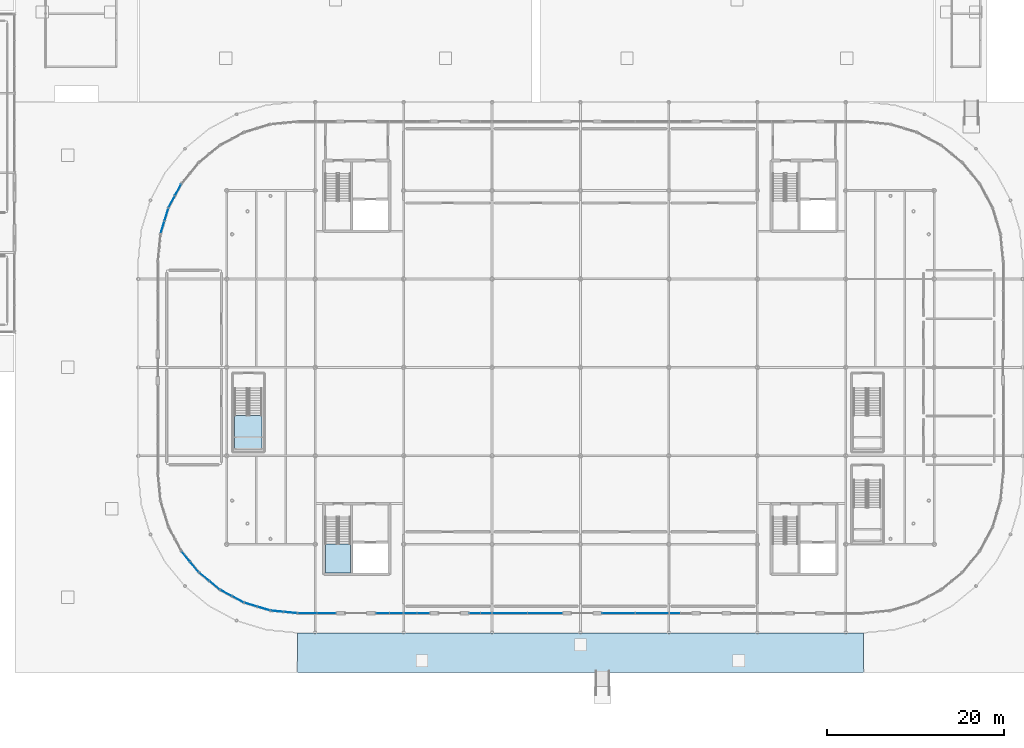
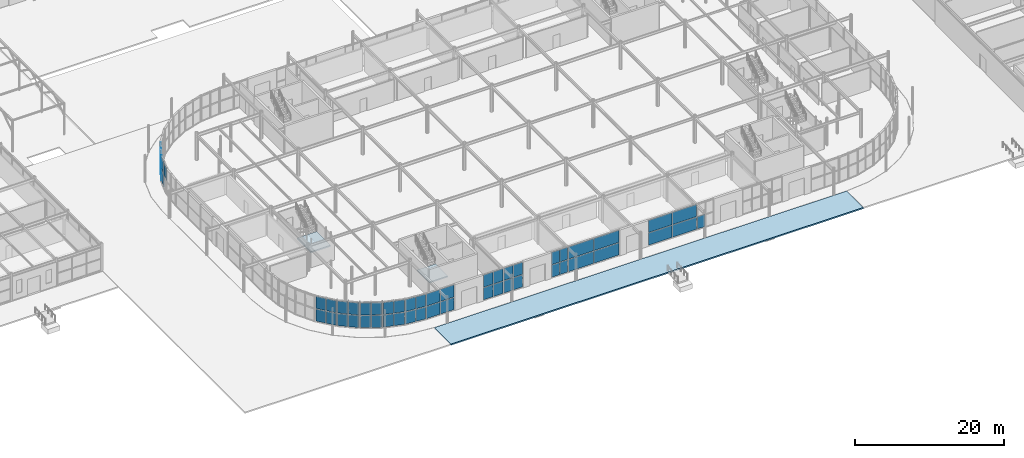
# One storey, part 74 of 119: 52 plates, 3 slabs, 16 elements without a shape of their own.
"""IFC4 building model written with IfcOpenShell, lengths in metres."""

from ifc_helpers import new_model, si_unit, derived_unit, direction, frame, origin, origin_2d_with_axis, place, context, subcontext, project, spatial, polyline, rectangle, outline, extrude, material, layer, layer_set, type_object, element, aggregate, save


model = new_model("IFC4")

# Units and contexts
model_context = context("Model", 3, precision=1e-05, world=origin(), true_north=direction((0.0, 1.0)))
body_context = subcontext(model_context, "Body", "Model", "MODEL_VIEW")
ifc_project = project(units=[si_unit("LENGTHUNIT", "METRE"), si_unit("AREAUNIT", "SQUARE_METRE"), si_unit("VOLUMEUNIT", "CUBIC_METRE"), si_unit("PLANEANGLEUNIT", "RADIAN"), si_unit("MASSUNIT", "GRAM", prefix="KILO"), derived_unit("THERMALTRANSMITTANCEUNIT", [(si_unit("POWERUNIT", "WATT"), 1), (si_unit("LENGTHUNIT", "METRE"), -2), (si_unit("THERMODYNAMICTEMPERATUREUNIT", "KELVIN"), -1)])], contexts=[model_context])

# Site, building, storey
site_placement = place(None, origin())
site = spatial("IfcSite", under=ifc_project, at=site_placement, CompositionType="ELEMENT")
building_placement = place(site_placement, origin())
building = spatial("IfcBuilding", under=site, at=building_placement, Name="Cinnabar Yard Market Hall", CompositionType="ELEMENT")
storey_placement = place(building_placement, origin())
storey = spatial("IfcBuildingStorey", under=building, at=storey_placement, Name="L00", CompositionType="ELEMENT", Elevation=0.0)

# Curtain wall, plates
ifc_material_1 = material(Name="Anodised bronze aluminium and low-E glass", Category="aluminium")
curtain_wall_type_1 = type_object("IfcCurtainWallType", Name="CW-CWH026x42", PredefinedType="NOTDEFINED", material=ifc_material_1)
curtain_wall_1_placement = place(storey_placement, origin())
curtain_wall_1 = element("IfcCurtainWall", 1, at=curtain_wall_1_placement, inside=storey, type_object=curtain_wall_type_1, Name="Market Hall South Ground Glazing B2B", PredefinedType="NOTDEFINED")
ifc_material_2 = material(Name="Low-E laminated glass", Category="glass")
ifc_layer_1 = layer(ifc_material_2, 0.031982421875)
ifc_layer_set_1 = layer_set([ifc_layer_1], Name="Low-E laminated glass")
plate_type_1 = type_object("IfcPlateType", Name="CWP-GP118x200", PredefinedType="CURTAIN_PANEL", material=ifc_layer_set_1)
plate_1_placement = place(storey_placement, frame((104.070068359375, 16.199951171875, 0.080078125), z_axis=(0.0, 0.0, 1.0), x_axis=(1.0, 0.0, 0.0)))
plate_1 = element("IfcPlate", 2, at=plate_1_placement, type_object=plate_type_1, Name="CWH026x42 panel 1.1", PredefinedType="CURTAIN_PANEL", context=body_context, shape_type="SweptSolid", body=[
    extrude(rectangle(XDim=1.179931640625, YDim=0.031982421875, at=origin_2d_with_axis()), origin(), (0.0, 0.0, 1.0), 2.0),
])
plate_2_placement = place(storey_placement, frame((104.070068359375, 16.199951171875, 2.159912109375), z_axis=(0.0, 0.0, 1.0), x_axis=(1.0, 0.0, 0.0)))
plate_2 = element("IfcPlate", 3, at=plate_2_placement, type_object=plate_type_1, Name="CWH026x42 panel 1.2", PredefinedType="CURTAIN_PANEL", context=body_context, shape_type="SweptSolid", body=[
    extrude(rectangle(XDim=1.179931640625, YDim=0.031982421875, at=origin_2d_with_axis()), origin(), (0.0, 0.0, 1.0), 2.0),
])
plate_3_placement = place(storey_placement, frame((105.330078125, 16.199951171875, 0.080078125), z_axis=(0.0, 0.0, 1.0), x_axis=(1.0, 0.0, 0.0)))
plate_3 = element("IfcPlate", 4, at=plate_3_placement, type_object=plate_type_1, Name="CWH026x42 panel 2.1", PredefinedType="CURTAIN_PANEL", context=body_context, shape_type="SweptSolid", body=[
    extrude(rectangle(XDim=1.179931640625, YDim=0.031982421875, at=origin_2d_with_axis()), origin(), (0.0, 0.0, 1.0), 2.0),
])
plate_4_placement = place(storey_placement, frame((105.330078125, 16.199951171875, 2.159912109375), z_axis=(0.0, 0.0, 1.0), x_axis=(1.0, 0.0, 0.0)))
plate_4 = element("IfcPlate", 5, at=plate_4_placement, type_object=plate_type_1, Name="CWH026x42 panel 2.2", PredefinedType="CURTAIN_PANEL", context=body_context, shape_type="SweptSolid", body=[
    extrude(rectangle(XDim=1.179931640625, YDim=0.031982421875, at=origin_2d_with_axis()), origin(), (0.0, 0.0, 1.0), 2.0),
])
aggregate(curtain_wall_1, [plate_1, plate_2, plate_3, plate_4])

# Curtain wall, plate
curtain_wall_2_placement = place(storey_placement, origin())
curtain_wall_2 = element("IfcCurtainWall", 6, at=curtain_wall_2_placement, inside=storey, type_object=curtain_wall_type_1, Name="Market Hall South Ground Glazing B5A", PredefinedType="NOTDEFINED")
plate_5_placement = place(storey_placement, frame((126.669921875, 16.199951171875, 0.080078125), z_axis=(0.0, 0.0, 1.0), x_axis=(1.0, 0.0, 0.0)))
plate_5 = element("IfcPlate", 7, at=plate_5_placement, type_object=plate_type_1, Name="CWH026x42 panel 1.1", PredefinedType="CURTAIN_PANEL", context=body_context, shape_type="SweptSolid", body=[
    extrude(rectangle(XDim=1.179931640625, YDim=0.031982421875, at=origin_2d_with_axis()), origin(), (0.0, 0.0, 1.0), 2.0),
])
aggregate(curtain_wall_2, [plate_5])

# Curtain wall, plates
curtain_wall_type_2 = type_object("IfcCurtainWallType", Name="CW-CWH030x42", PredefinedType="NOTDEFINED", material=ifc_material_1)
curtain_wall_3_placement = place(storey_placement, origin())
curtain_wall_3 = element("IfcCurtainWall", 8, at=curtain_wall_3_placement, inside=storey, type_object=curtain_wall_type_2, Name="Market Hall South Ground Glazing B2A", PredefinedType="NOTDEFINED")
ifc_layer_2 = layer(ifc_material_2, 0.031982421875)
ifc_layer_set_2 = layer_set([ifc_layer_2], Name="Low-E laminated glass")
plate_type_2 = type_object("IfcPlateType", Name="CWP-GP138x200", PredefinedType="CURTAIN_PANEL", material=ifc_layer_set_2)
plate_6_placement = place(storey_placement, frame((96.77001953125, 16.199951171875, 0.080078125), z_axis=(0.0, 0.0, 1.0), x_axis=(1.0, 0.0, 0.0)))
plate_6 = element("IfcPlate", 9, at=plate_6_placement, type_object=plate_type_2, Name="CWH030x42 panel 1.1", PredefinedType="CURTAIN_PANEL", context=body_context, shape_type="SweptSolid", body=[
    extrude(rectangle(XDim=1.3798828125, YDim=0.031982421875, at=origin_2d_with_axis()), origin(), (0.0, 0.0, 1.0), 2.0),
])
plate_7_placement = place(storey_placement, frame((96.77001953125, 16.199951171875, 2.159912109375), z_axis=(0.0, 0.0, 1.0), x_axis=(1.0, 0.0, 0.0)))
plate_7 = element("IfcPlate", 10, at=plate_7_placement, type_object=plate_type_2, Name="CWH030x42 panel 1.2", PredefinedType="CURTAIN_PANEL", context=body_context, shape_type="SweptSolid", body=[
    extrude(rectangle(XDim=1.3798828125, YDim=0.031982421875, at=origin_2d_with_axis()), origin(), (0.0, 0.0, 1.0), 2.0),
])
plate_8_placement = place(storey_placement, frame((98.22998046875, 16.199951171875, 0.080078125), z_axis=(0.0, 0.0, 1.0), x_axis=(1.0, 0.0, 0.0)))
plate_8 = element("IfcPlate", 11, at=plate_8_placement, type_object=plate_type_2, Name="CWH030x42 panel 2.1", PredefinedType="CURTAIN_PANEL", context=body_context, shape_type="SweptSolid", body=[
    extrude(rectangle(XDim=1.3798828125, YDim=0.031982421875, at=origin_2d_with_axis()), origin(), (0.0, 0.0, 1.0), 2.0),
])
plate_9_placement = place(storey_placement, frame((98.22998046875, 16.199951171875, 2.159912109375), z_axis=(0.0, 0.0, 1.0), x_axis=(1.0, 0.0, 0.0)))
plate_9 = element("IfcPlate", 12, at=plate_9_placement, type_object=plate_type_2, Name="CWH030x42 panel 2.2", PredefinedType="CURTAIN_PANEL", context=body_context, shape_type="SweptSolid", body=[
    extrude(rectangle(XDim=1.3798828125, YDim=0.031982421875, at=origin_2d_with_axis()), origin(), (0.0, 0.0, 1.0), 2.0),
])
aggregate(curtain_wall_3, [plate_6, plate_7, plate_8, plate_9])

ifc_material_3 = material(Name="Anodised bronze aluminium curved-chord facade", Category="aluminium")
curtain_wall_type_3 = type_object("IfcCurtainWallType", Name="CW-CWC031x42", PredefinedType="NOTDEFINED", material=ifc_material_3)
curtain_wall_4_placement = place(storey_placement, origin())
curtain_wall_4 = element("IfcCurtainWall", 13, at=curtain_wall_4_placement, inside=storey, type_object=curtain_wall_type_3, Name="Corner SW Chord 4 L00", PredefinedType="NOTDEFINED")
ifc_layer_3 = layer(ifc_material_2, 0.031982421875)
ifc_layer_set_3 = layer_set([ifc_layer_3], Name="Low-E laminated glass")
plate_type_3 = type_object("IfcPlateType", Name="CWP-GP141x199", PredefinedType="CURTAIN_PANEL", material=ifc_layer_set_3)
plate_10_placement = place(storey_placement, frame((71.368408203125, 22.60595703125, 0.08984375), z_axis=(0.0, 0.0, 1.0), x_axis=(0.634383400924, -0.773018564222, 0.0)))
plate_10 = element("IfcPlate", 14, at=plate_10_placement, type_object=plate_type_3, Name="CWC031x42 panel 1.1", PredefinedType="CURTAIN_PANEL", context=body_context, shape_type="SweptSolid", body=[
    extrude(rectangle(XDim=1.41357421875, YDim=0.031982421875, at=origin_2d_with_axis()), origin(), (0.0, 0.0, 1.0), 1.985107421875),
])
plate_11_placement = place(storey_placement, frame((71.368408203125, 22.60595703125, 2.1650390625), z_axis=(0.0, 0.0, 1.0), x_axis=(0.634383400924, -0.773018564222, 0.0)))
plate_11 = element("IfcPlate", 15, at=plate_11_placement, type_object=plate_type_3, Name="CWC031x42 panel 1.2", PredefinedType="CURTAIN_PANEL", context=body_context, shape_type="SweptSolid", body=[
    extrude(rectangle(XDim=1.41357421875, YDim=0.031982421875, at=origin_2d_with_axis()), origin(), (0.0, 0.0, 1.0), 1.985107421875),
])
plate_12_placement = place(storey_placement, frame((72.322265625, 21.443603515625, 0.08984375), z_axis=(0.0, 0.0, 1.0), x_axis=(0.634383400924, -0.773018564222, 0.0)))
plate_12 = element("IfcPlate", 16, at=plate_12_placement, type_object=plate_type_3, Name="CWC031x42 panel 2.1", PredefinedType="CURTAIN_PANEL", context=body_context, shape_type="SweptSolid", body=[
    extrude(rectangle(XDim=1.41357421875, YDim=0.031982421875, at=origin_2d_with_axis()), origin(), (0.0, 0.0, 1.0), 1.985107421875),
])
plate_13_placement = place(storey_placement, frame((72.322265625, 21.443603515625, 2.1650390625), z_axis=(0.0, 0.0, 1.0), x_axis=(0.634383400924, -0.773018564222, 0.0)))
plate_13 = element("IfcPlate", 17, at=plate_13_placement, type_object=plate_type_3, Name="CWC031x42 panel 2.2", PredefinedType="CURTAIN_PANEL", context=body_context, shape_type="SweptSolid", body=[
    extrude(rectangle(XDim=1.41357421875, YDim=0.031982421875, at=origin_2d_with_axis()), origin(), (0.0, 0.0, 1.0), 1.985107421875),
])
aggregate(curtain_wall_4, [plate_10, plate_11, plate_12, plate_13])

curtain_wall_5_placement = place(storey_placement, origin())
curtain_wall_5 = element("IfcCurtainWall", 18, at=curtain_wall_5_placement, inside=storey, type_object=curtain_wall_type_3, Name="Corner SW Chord 5 L00", PredefinedType="NOTDEFINED")
plate_14_placement = place(storey_placement, frame((73.443603515625, 20.322265625, 0.08984375), z_axis=(0.0, 0.0, 1.0), x_axis=(0.773018564222, -0.634383400924, 0.0)))
plate_14 = element("IfcPlate", 19, at=plate_14_placement, type_object=plate_type_3, Name="CWC031x42 panel 1.1", PredefinedType="CURTAIN_PANEL", context=body_context, shape_type="SweptSolid", body=[
    extrude(rectangle(XDim=1.41357421875, YDim=0.031982421875, at=origin_2d_with_axis()), origin(), (0.0, 0.0, 1.0), 1.985107421875),
])
plate_15_placement = place(storey_placement, frame((73.443603515625, 20.322265625, 2.1650390625), z_axis=(0.0, 0.0, 1.0), x_axis=(0.773018564222, -0.634383400924, 0.0)))
plate_15 = element("IfcPlate", 20, at=plate_15_placement, type_object=plate_type_3, Name="CWC031x42 panel 1.2", PredefinedType="CURTAIN_PANEL", context=body_context, shape_type="SweptSolid", body=[
    extrude(rectangle(XDim=1.41357421875, YDim=0.031982421875, at=origin_2d_with_axis()), origin(), (0.0, 0.0, 1.0), 1.985107421875),
])
plate_16_placement = place(storey_placement, frame((74.60595703125, 19.368408203125, 0.08984375), z_axis=(0.0, 0.0, 1.0), x_axis=(0.773018564222, -0.634383400924, 0.0)))
plate_16 = element("IfcPlate", 21, at=plate_16_placement, type_object=plate_type_3, Name="CWC031x42 panel 2.1", PredefinedType="CURTAIN_PANEL", context=body_context, shape_type="SweptSolid", body=[
    extrude(rectangle(XDim=1.41357421875, YDim=0.031982421875, at=origin_2d_with_axis()), origin(), (0.0, 0.0, 1.0), 1.985107421875),
])
plate_17_placement = place(storey_placement, frame((74.60595703125, 19.368408203125, 2.1650390625), z_axis=(0.0, 0.0, 1.0), x_axis=(0.773018564222, -0.634383400924, 0.0)))
plate_17 = element("IfcPlate", 22, at=plate_17_placement, type_object=plate_type_3, Name="CWC031x42 panel 2.2", PredefinedType="CURTAIN_PANEL", context=body_context, shape_type="SweptSolid", body=[
    extrude(rectangle(XDim=1.41357421875, YDim=0.031982421875, at=origin_2d_with_axis()), origin(), (0.0, 0.0, 1.0), 1.985107421875),
])
aggregate(curtain_wall_5, [plate_14, plate_15, plate_16, plate_17])

curtain_wall_6_placement = place(storey_placement, origin())
curtain_wall_6 = element("IfcCurtainWall", 23, at=curtain_wall_6_placement, inside=storey, type_object=curtain_wall_type_3, Name="Corner SW Chord 6 L00", PredefinedType="NOTDEFINED")
plate_18_placement = place(storey_placement, frame((75.9248046875, 18.487060546875, 0.08984375), z_axis=(0.0, 0.0, 1.0), x_axis=(0.881917320707, -0.471404114786, 0.0)))
plate_18 = element("IfcPlate", 24, at=plate_18_placement, type_object=plate_type_3, Name="CWC031x42 panel 1.1", PredefinedType="CURTAIN_PANEL", context=body_context, shape_type="SweptSolid", body=[
    extrude(rectangle(XDim=1.41357421875, YDim=0.031982421875, at=origin_2d_with_axis()), origin(), (0.0, 0.0, 1.0), 1.985107421875),
])
plate_19_placement = place(storey_placement, frame((75.9248046875, 18.487060546875, 2.1650390625), z_axis=(0.0, 0.0, 1.0), x_axis=(0.881917320707, -0.471404114786, 0.0)))
plate_19 = element("IfcPlate", 25, at=plate_19_placement, type_object=plate_type_3, Name="CWC031x42 panel 1.2", PredefinedType="CURTAIN_PANEL", context=body_context, shape_type="SweptSolid", body=[
    extrude(rectangle(XDim=1.41357421875, YDim=0.031982421875, at=origin_2d_with_axis()), origin(), (0.0, 0.0, 1.0), 1.985107421875),
])
plate_20_placement = place(storey_placement, frame((77.2509765625, 17.7783203125, 0.08984375), z_axis=(0.0, 0.0, 1.0), x_axis=(0.881917320707, -0.471404114786, 0.0)))
plate_20 = element("IfcPlate", 26, at=plate_20_placement, type_object=plate_type_3, Name="CWC031x42 panel 2.1", PredefinedType="CURTAIN_PANEL", context=body_context, shape_type="SweptSolid", body=[
    extrude(rectangle(XDim=1.41357421875, YDim=0.031982421875, at=origin_2d_with_axis()), origin(), (0.0, 0.0, 1.0), 1.985107421875),
])
plate_21_placement = place(storey_placement, frame((77.2509765625, 17.7783203125, 2.1650390625), z_axis=(0.0, 0.0, 1.0), x_axis=(0.881917320707, -0.471404114786, 0.0)))
plate_21 = element("IfcPlate", 27, at=plate_21_placement, type_object=plate_type_3, Name="CWC031x42 panel 2.2", PredefinedType="CURTAIN_PANEL", context=body_context, shape_type="SweptSolid", body=[
    extrude(rectangle(XDim=1.41357421875, YDim=0.031982421875, at=origin_2d_with_axis()), origin(), (0.0, 0.0, 1.0), 1.985107421875),
])
aggregate(curtain_wall_6, [plate_18, plate_19, plate_20, plate_21])

curtain_wall_7_placement = place(storey_placement, origin())
curtain_wall_7 = element("IfcCurtainWall", 28, at=curtain_wall_7_placement, inside=storey, type_object=curtain_wall_type_3, Name="Corner SW Chord 7 L00", PredefinedType="NOTDEFINED")
plate_22_placement = place(storey_placement, frame((78.716064453125, 17.17138671875, 0.08984375), z_axis=(0.0, 0.0, 1.0), x_axis=(0.956942090856, -0.290278891325, 0.0)))
plate_22 = element("IfcPlate", 29, at=plate_22_placement, type_object=plate_type_3, Name="CWC031x42 panel 1.1", PredefinedType="CURTAIN_PANEL", context=body_context, shape_type="SweptSolid", body=[
    extrude(rectangle(XDim=1.41357421875, YDim=0.031982421875, at=origin_2d_with_axis()), origin(), (0.0, 0.0, 1.0), 1.985107421875),
])
plate_23_placement = place(storey_placement, frame((78.716064453125, 17.17138671875, 2.1650390625), z_axis=(0.0, 0.0, 1.0), x_axis=(0.956942090856, -0.290278891325, 0.0)))
plate_23 = element("IfcPlate", 30, at=plate_23_placement, type_object=plate_type_3, Name="CWC031x42 panel 1.2", PredefinedType="CURTAIN_PANEL", context=body_context, shape_type="SweptSolid", body=[
    extrude(rectangle(XDim=1.41357421875, YDim=0.031982421875, at=origin_2d_with_axis()), origin(), (0.0, 0.0, 1.0), 1.985107421875),
])
plate_24_placement = place(storey_placement, frame((80.155029296875, 16.73486328125, 0.08984375), z_axis=(0.0, 0.0, 1.0), x_axis=(0.956942090856, -0.290278891325, 0.0)))
plate_24 = element("IfcPlate", 31, at=plate_24_placement, type_object=plate_type_3, Name="CWC031x42 panel 2.1", PredefinedType="CURTAIN_PANEL", context=body_context, shape_type="SweptSolid", body=[
    extrude(rectangle(XDim=1.41357421875, YDim=0.031982421875, at=origin_2d_with_axis()), origin(), (0.0, 0.0, 1.0), 1.985107421875),
])
plate_25_placement = place(storey_placement, frame((80.155029296875, 16.73486328125, 2.1650390625), z_axis=(0.0, 0.0, 1.0), x_axis=(0.956942090856, -0.290278891325, 0.0)))
plate_25 = element("IfcPlate", 32, at=plate_25_placement, type_object=plate_type_3, Name="CWC031x42 panel 2.2", PredefinedType="CURTAIN_PANEL", context=body_context, shape_type="SweptSolid", body=[
    extrude(rectangle(XDim=1.41357421875, YDim=0.031982421875, at=origin_2d_with_axis()), origin(), (0.0, 0.0, 1.0), 1.985107421875),
])
aggregate(curtain_wall_7, [plate_22, plate_23, plate_24, plate_25])

curtain_wall_8_placement = place(storey_placement, origin())
curtain_wall_8 = element("IfcCurtainWall", 33, at=curtain_wall_8_placement, inside=storey, type_object=curtain_wall_type_3, Name="Corner SW Chord 8 L00", PredefinedType="NOTDEFINED")
plate_26_placement = place(storey_placement, frame((81.710693359375, 16.425537109375, 0.08984375), z_axis=(0.0, 0.0, 1.0), x_axis=(0.995184408637, -0.098020369342, 0.0)))
plate_26 = element("IfcPlate", 34, at=plate_26_placement, type_object=plate_type_3, Name="CWC031x42 panel 1.1", PredefinedType="CURTAIN_PANEL", context=body_context, shape_type="SweptSolid", body=[
    extrude(rectangle(XDim=1.41357421875, YDim=0.031982421875, at=origin_2d_with_axis()), origin(), (0.0, 0.0, 1.0), 1.985107421875),
])
plate_27_placement = place(storey_placement, frame((81.710693359375, 16.425537109375, 2.1650390625), z_axis=(0.0, 0.0, 1.0), x_axis=(0.995184408637, -0.098020369342, 0.0)))
plate_27 = element("IfcPlate", 35, at=plate_27_placement, type_object=plate_type_3, Name="CWC031x42 panel 1.2", PredefinedType="CURTAIN_PANEL", context=body_context, shape_type="SweptSolid", body=[
    extrude(rectangle(XDim=1.41357421875, YDim=0.031982421875, at=origin_2d_with_axis()), origin(), (0.0, 0.0, 1.0), 1.985107421875),
])
plate_28_placement = place(storey_placement, frame((83.20703125, 16.278076171875, 0.08984375), z_axis=(0.0, 0.0, 1.0), x_axis=(0.995184408637, -0.098020369342, 0.0)))
plate_28 = element("IfcPlate", 36, at=plate_28_placement, type_object=plate_type_3, Name="CWC031x42 panel 2.1", PredefinedType="CURTAIN_PANEL", context=body_context, shape_type="SweptSolid", body=[
    extrude(rectangle(XDim=1.41357421875, YDim=0.031982421875, at=origin_2d_with_axis()), origin(), (0.0, 0.0, 1.0), 1.985107421875),
])
plate_29_placement = place(storey_placement, frame((83.20703125, 16.278076171875, 2.1650390625), z_axis=(0.0, 0.0, 1.0), x_axis=(0.995184408637, -0.098020369342, 0.0)))
plate_29 = element("IfcPlate", 37, at=plate_29_placement, type_object=plate_type_3, Name="CWC031x42 panel 2.2", PredefinedType="CURTAIN_PANEL", context=body_context, shape_type="SweptSolid", body=[
    extrude(rectangle(XDim=1.41357421875, YDim=0.031982421875, at=origin_2d_with_axis()), origin(), (0.0, 0.0, 1.0), 1.985107421875),
])
aggregate(curtain_wall_8, [plate_26, plate_27, plate_28, plate_29])

curtain_wall_9_placement = place(storey_placement, origin())
curtain_wall_9 = element("IfcCurtainWall", 38, at=curtain_wall_9_placement, inside=storey, type_object=curtain_wall_type_3, Name="Corner NW Chord 6 L00", PredefinedType="NOTDEFINED")
plate_30_placement = place(storey_placement, frame((70.487060546875, 64.0751953125, 0.08984375), z_axis=(0.0, 0.0, 1.0), x_axis=(-0.471404114786, -0.881917320707, 0.0)))
plate_30 = element("IfcPlate", 39, at=plate_30_placement, type_object=plate_type_3, Name="CWC031x42 panel 1.1", PredefinedType="CURTAIN_PANEL", context=body_context, shape_type="SweptSolid", body=[
    extrude(rectangle(XDim=1.41357421875, YDim=0.031982421875, at=origin_2d_with_axis()), origin(), (0.0, 0.0, 1.0), 1.985107421875),
])
plate_31_placement = place(storey_placement, frame((70.487060546875, 64.0751953125, 2.1650390625), z_axis=(0.0, 0.0, 1.0), x_axis=(-0.471404114786, -0.881917320707, 0.0)))
plate_31 = element("IfcPlate", 40, at=plate_31_placement, type_object=plate_type_3, Name="CWC031x42 panel 1.2", PredefinedType="CURTAIN_PANEL", context=body_context, shape_type="SweptSolid", body=[
    extrude(rectangle(XDim=1.41357421875, YDim=0.031982421875, at=origin_2d_with_axis()), origin(), (0.0, 0.0, 1.0), 1.985107421875),
])
plate_32_placement = place(storey_placement, frame((69.7783203125, 62.7490234375, 0.08984375), z_axis=(0.0, 0.0, 1.0), x_axis=(-0.471404114786, -0.881917320707, 0.0)))
plate_32 = element("IfcPlate", 41, at=plate_32_placement, type_object=plate_type_3, Name="CWC031x42 panel 2.1", PredefinedType="CURTAIN_PANEL", context=body_context, shape_type="SweptSolid", body=[
    extrude(rectangle(XDim=1.41357421875, YDim=0.031982421875, at=origin_2d_with_axis()), origin(), (0.0, 0.0, 1.0), 1.985107421875),
])
plate_33_placement = place(storey_placement, frame((69.7783203125, 62.7490234375, 2.1650390625), z_axis=(0.0, 0.0, 1.0), x_axis=(-0.471404114786, -0.881917320707, 0.0)))
plate_33 = element("IfcPlate", 42, at=plate_33_placement, type_object=plate_type_3, Name="CWC031x42 panel 2.2", PredefinedType="CURTAIN_PANEL", context=body_context, shape_type="SweptSolid", body=[
    extrude(rectangle(XDim=1.41357421875, YDim=0.031982421875, at=origin_2d_with_axis()), origin(), (0.0, 0.0, 1.0), 1.985107421875),
])
aggregate(curtain_wall_9, [plate_30, plate_31, plate_32, plate_33])

curtain_wall_10_placement = place(storey_placement, origin())
curtain_wall_10 = element("IfcCurtainWall", 43, at=curtain_wall_10_placement, inside=storey, type_object=curtain_wall_type_3, Name="Corner NW Chord 7 L00", PredefinedType="NOTDEFINED")
plate_34_placement = place(storey_placement, frame((69.17138671875, 61.283935546875, 0.08984375), z_axis=(0.0, 0.0, 1.0), x_axis=(-0.290278891325, -0.956942090856, 0.0)))
plate_34 = element("IfcPlate", 44, at=plate_34_placement, type_object=plate_type_3, Name="CWC031x42 panel 1.1", PredefinedType="CURTAIN_PANEL", context=body_context, shape_type="SweptSolid", body=[
    extrude(rectangle(XDim=1.41357421875, YDim=0.031982421875, at=origin_2d_with_axis()), origin(), (0.0, 0.0, 1.0), 1.985107421875),
])
plate_35_placement = place(storey_placement, frame((69.17138671875, 61.283935546875, 2.1650390625), z_axis=(0.0, 0.0, 1.0), x_axis=(-0.290278891325, -0.956942090856, 0.0)))
plate_35 = element("IfcPlate", 45, at=plate_35_placement, type_object=plate_type_3, Name="CWC031x42 panel 1.2", PredefinedType="CURTAIN_PANEL", context=body_context, shape_type="SweptSolid", body=[
    extrude(rectangle(XDim=1.41357421875, YDim=0.031982421875, at=origin_2d_with_axis()), origin(), (0.0, 0.0, 1.0), 1.985107421875),
])
plate_36_placement = place(storey_placement, frame((68.73486328125, 59.844970703125, 2.1650390625), z_axis=(0.0, 0.0, 1.0), x_axis=(-0.290278891325, -0.956942090856, 0.0)))
plate_36 = element("IfcPlate", 46, at=plate_36_placement, type_object=plate_type_3, Name="CWC031x42 panel 2.2", PredefinedType="CURTAIN_PANEL", context=body_context, shape_type="SweptSolid", body=[
    extrude(rectangle(XDim=1.41357421875, YDim=0.031982421875, at=origin_2d_with_axis()), origin(), (0.0, 0.0, 1.0), 1.985107421875),
])
aggregate(curtain_wall_10, [plate_34, plate_35, plate_36])

curtain_wall_type_4 = type_object("IfcCurtainWallType", Name="CW-CWH032x42", PredefinedType="NOTDEFINED", material=ifc_material_1)
curtain_wall_11_placement = place(storey_placement, origin())
curtain_wall_11 = element("IfcCurtainWall", 47, at=curtain_wall_11_placement, inside=storey, type_object=curtain_wall_type_4, Name="Market Hall South Ground Glazing B1B", PredefinedType="NOTDEFINED")
ifc_layer_4 = layer(ifc_material_2, 0.031982421875)
ifc_layer_set_4 = layer_set([ifc_layer_4], Name="Low-E laminated glass")
plate_type_4 = type_object("IfcPlateType", Name="CWP-GP148x200", PredefinedType="CURTAIN_PANEL", material=ifc_layer_set_4)
plate_37_placement = place(storey_placement, frame((93.6201171875, 16.199951171875, 0.080078125), z_axis=(0.0, 0.0, 1.0), x_axis=(1.0, 0.0, 0.0)))
plate_37 = element("IfcPlate", 48, at=plate_37_placement, type_object=plate_type_4, Name="CWH032x42 panel 1.1", PredefinedType="CURTAIN_PANEL", context=body_context, shape_type="SweptSolid", body=[
    extrude(rectangle(XDim=1.47998046875, YDim=0.031982421875, at=origin_2d_with_axis()), origin(), (0.0, 0.0, 1.0), 2.0),
])
plate_38_placement = place(storey_placement, frame((93.6201171875, 16.199951171875, 2.159912109375), z_axis=(0.0, 0.0, 1.0), x_axis=(1.0, 0.0, 0.0)))
plate_38 = element("IfcPlate", 49, at=plate_38_placement, type_object=plate_type_4, Name="CWH032x42 panel 1.2", PredefinedType="CURTAIN_PANEL", context=body_context, shape_type="SweptSolid", body=[
    extrude(rectangle(XDim=1.47998046875, YDim=0.031982421875, at=origin_2d_with_axis()), origin(), (0.0, 0.0, 1.0), 2.0),
])
plate_39_placement = place(storey_placement, frame((95.179931640625, 16.199951171875, 0.080078125), z_axis=(0.0, 0.0, 1.0), x_axis=(1.0, 0.0, 0.0)))
plate_39 = element("IfcPlate", 50, at=plate_39_placement, type_object=plate_type_4, Name="CWH032x42 panel 2.1", PredefinedType="CURTAIN_PANEL", context=body_context, shape_type="SweptSolid", body=[
    extrude(rectangle(XDim=1.47998046875, YDim=0.031982421875, at=origin_2d_with_axis()), origin(), (0.0, 0.0, 1.0), 2.0),
])
plate_40_placement = place(storey_placement, frame((95.179931640625, 16.199951171875, 2.159912109375), z_axis=(0.0, 0.0, 1.0), x_axis=(1.0, 0.0, 0.0)))
plate_40 = element("IfcPlate", 51, at=plate_40_placement, type_object=plate_type_4, Name="CWH032x42 panel 2.2", PredefinedType="CURTAIN_PANEL", context=body_context, shape_type="SweptSolid", body=[
    extrude(rectangle(XDim=1.47998046875, YDim=0.031982421875, at=origin_2d_with_axis()), origin(), (0.0, 0.0, 1.0), 2.0),
])
aggregate(curtain_wall_11, [plate_37, plate_38, plate_39, plate_40])

curtain_wall_type_5 = type_object("IfcCurtainWallType", Name="CW-CWH044x42", PredefinedType="NOTDEFINED", material=ifc_material_1)
curtain_wall_12_placement = place(storey_placement, origin())
curtain_wall_12 = element("IfcCurtainWall", 52, at=curtain_wall_12_placement, inside=storey, type_object=curtain_wall_type_5, Name="Market Hall South Ground Glazing B1A", PredefinedType="NOTDEFINED")
ifc_layer_5 = layer(ifc_material_2, 0.031982421875)
ifc_layer_set_5 = layer_set([ifc_layer_5], Name="Low-E laminated glass")
plate_type_5 = type_object("IfcPlateType", Name="CWP-GP208x200", PredefinedType="CURTAIN_PANEL", material=ifc_layer_set_5)
plate_41_placement = place(storey_placement, frame((85.1201171875, 16.199951171875, 0.080078125), z_axis=(0.0, 0.0, 1.0), x_axis=(1.0, 0.0, 0.0)))
plate_41 = element("IfcPlate", 53, at=plate_41_placement, type_object=plate_type_5, Name="CWH044x42 panel 1.1", PredefinedType="CURTAIN_PANEL", context=body_context, shape_type="SweptSolid", body=[
    extrude(rectangle(XDim=2.080078125, YDim=0.031982421875, at=origin_2d_with_axis()), origin(), (0.0, 0.0, 1.0), 2.0),
])
plate_42_placement = place(storey_placement, frame((85.1201171875, 16.199951171875, 2.159912109375), z_axis=(0.0, 0.0, 1.0), x_axis=(1.0, 0.0, 0.0)))
plate_42 = element("IfcPlate", 54, at=plate_42_placement, type_object=plate_type_5, Name="CWH044x42 panel 1.2", PredefinedType="CURTAIN_PANEL", context=body_context, shape_type="SweptSolid", body=[
    extrude(rectangle(XDim=2.080078125, YDim=0.031982421875, at=origin_2d_with_axis()), origin(), (0.0, 0.0, 1.0), 2.0),
])
plate_43_placement = place(storey_placement, frame((87.280029296875, 16.199951171875, 0.080078125), z_axis=(0.0, 0.0, 1.0), x_axis=(1.0, 0.0, 0.0)))
plate_43 = element("IfcPlate", 55, at=plate_43_placement, type_object=plate_type_5, Name="CWH044x42 panel 2.1", PredefinedType="CURTAIN_PANEL", context=body_context, shape_type="SweptSolid", body=[
    extrude(rectangle(XDim=2.080078125, YDim=0.031982421875, at=origin_2d_with_axis()), origin(), (0.0, 0.0, 1.0), 2.0),
])
plate_44_placement = place(storey_placement, frame((87.280029296875, 16.199951171875, 2.159912109375), z_axis=(0.0, 0.0, 1.0), x_axis=(1.0, 0.0, 0.0)))
plate_44 = element("IfcPlate", 56, at=plate_44_placement, type_object=plate_type_5, Name="CWH044x42 panel 2.2", PredefinedType="CURTAIN_PANEL", context=body_context, shape_type="SweptSolid", body=[
    extrude(rectangle(XDim=2.080078125, YDim=0.031982421875, at=origin_2d_with_axis()), origin(), (0.0, 0.0, 1.0), 2.0),
])
aggregate(curtain_wall_12, [plate_41, plate_42, plate_43, plate_44])

curtain_wall_type_6 = type_object("IfcCurtainWallType", Name="CW-CWH076x42", PredefinedType="NOTDEFINED", material=ifc_material_1)
curtain_wall_13_placement = place(storey_placement, origin())
curtain_wall_13 = element("IfcCurtainWall", 57, at=curtain_wall_13_placement, inside=storey, type_object=curtain_wall_type_6, Name="Market Hall South Ground Glazing B4", PredefinedType="NOTDEFINED")
ifc_layer_6 = layer(ifc_material_2, 0.031982421875)
ifc_layer_set_6 = layer_set([ifc_layer_6], Name="Low-E laminated glass")
plate_type_6 = type_object("IfcPlateType", Name="CWP-GP368x200", PredefinedType="CURTAIN_PANEL", material=ifc_layer_set_6)
plate_45_placement = place(storey_placement, frame((120.320068359375, 16.199951171875, 0.080078125), z_axis=(0.0, 0.0, 1.0), x_axis=(1.0, 0.0, 0.0)))
plate_45 = element("IfcPlate", 58, at=plate_45_placement, type_object=plate_type_6, Name="CWH076x42 panel 1.1", PredefinedType="CURTAIN_PANEL", context=body_context, shape_type="SweptSolid", body=[
    extrude(rectangle(XDim=3.679931640625, YDim=0.031982421875, at=origin_2d_with_axis()), origin(), (0.0, 0.0, 1.0), 2.0),
])
plate_46_placement = place(storey_placement, frame((120.320068359375, 16.199951171875, 2.159912109375), z_axis=(0.0, 0.0, 1.0), x_axis=(1.0, 0.0, 0.0)))
plate_46 = element("IfcPlate", 59, at=plate_46_placement, type_object=plate_type_6, Name="CWH076x42 panel 1.2", PredefinedType="CURTAIN_PANEL", context=body_context, shape_type="SweptSolid", body=[
    extrude(rectangle(XDim=3.679931640625, YDim=0.031982421875, at=origin_2d_with_axis()), origin(), (0.0, 0.0, 1.0), 2.0),
])
plate_47_placement = place(storey_placement, frame((124.080078125, 16.199951171875, 0.080078125), z_axis=(0.0, 0.0, 1.0), x_axis=(1.0, 0.0, 0.0)))
plate_47 = element("IfcPlate", 60, at=plate_47_placement, type_object=plate_type_6, Name="CWH076x42 panel 2.1", PredefinedType="CURTAIN_PANEL", context=body_context, shape_type="SweptSolid", body=[
    extrude(rectangle(XDim=3.679931640625, YDim=0.031982421875, at=origin_2d_with_axis()), origin(), (0.0, 0.0, 1.0), 2.0),
])
plate_48_placement = place(storey_placement, frame((124.080078125, 16.199951171875, 2.159912109375), z_axis=(0.0, 0.0, 1.0), x_axis=(1.0, 0.0, 0.0)))
plate_48 = element("IfcPlate", 61, at=plate_48_placement, type_object=plate_type_6, Name="CWH076x42 panel 2.2", PredefinedType="CURTAIN_PANEL", context=body_context, shape_type="SweptSolid", body=[
    extrude(rectangle(XDim=3.679931640625, YDim=0.031982421875, at=origin_2d_with_axis()), origin(), (0.0, 0.0, 1.0), 2.0),
])
aggregate(curtain_wall_13, [plate_45, plate_46, plate_47, plate_48])

curtain_wall_type_7 = type_object("IfcCurtainWallType", Name="CW-CWH080x42", PredefinedType="NOTDEFINED", material=ifc_material_1)
curtain_wall_14_placement = place(storey_placement, origin())
curtain_wall_14 = element("IfcCurtainWall", 62, at=curtain_wall_14_placement, inside=storey, type_object=curtain_wall_type_7, Name="Market Hall South Ground Glazing B3", PredefinedType="NOTDEFINED")
ifc_layer_7 = layer(ifc_material_2, 0.031982421875)
ifc_layer_set_7 = layer_set([ifc_layer_7], Name="Low-E laminated glass")
plate_type_7 = type_object("IfcPlateType", Name="CWP-GP388x200", PredefinedType="CURTAIN_PANEL", material=ifc_layer_set_7)
plate_49_placement = place(storey_placement, frame((108.02001953125, 16.199951171875, 0.080078125), z_axis=(0.0, 0.0, 1.0), x_axis=(1.0, 0.0, 0.0)))
plate_49 = element("IfcPlate", 63, at=plate_49_placement, type_object=plate_type_7, Name="CWH080x42 panel 1.1", PredefinedType="CURTAIN_PANEL", context=body_context, shape_type="SweptSolid", body=[
    extrude(rectangle(XDim=3.8798828125, YDim=0.031982421875, at=origin_2d_with_axis()), origin(), (0.0, 0.0, 1.0), 2.0),
])
plate_50_placement = place(storey_placement, frame((108.02001953125, 16.199951171875, 2.159912109375), z_axis=(0.0, 0.0, 1.0), x_axis=(1.0, 0.0, 0.0)))
plate_50 = element("IfcPlate", 64, at=plate_50_placement, type_object=plate_type_7, Name="CWH080x42 panel 1.2", PredefinedType="CURTAIN_PANEL", context=body_context, shape_type="SweptSolid", body=[
    extrude(rectangle(XDim=3.8798828125, YDim=0.031982421875, at=origin_2d_with_axis()), origin(), (0.0, 0.0, 1.0), 2.0),
])
plate_51_placement = place(storey_placement, frame((111.97998046875, 16.199951171875, 0.080078125), z_axis=(0.0, 0.0, 1.0), x_axis=(1.0, 0.0, 0.0)))
plate_51 = element("IfcPlate", 65, at=plate_51_placement, type_object=plate_type_7, Name="CWH080x42 panel 2.1", PredefinedType="CURTAIN_PANEL", context=body_context, shape_type="SweptSolid", body=[
    extrude(rectangle(XDim=3.8798828125, YDim=0.031982421875, at=origin_2d_with_axis()), origin(), (0.0, 0.0, 1.0), 2.0),
])
plate_52_placement = place(storey_placement, frame((111.97998046875, 16.199951171875, 2.159912109375), z_axis=(0.0, 0.0, 1.0), x_axis=(1.0, 0.0, 0.0)))
plate_52 = element("IfcPlate", 66, at=plate_52_placement, type_object=plate_type_7, Name="CWH080x42 panel 2.2", PredefinedType="CURTAIN_PANEL", context=body_context, shape_type="SweptSolid", body=[
    extrude(rectangle(XDim=3.8798828125, YDim=0.031982421875, at=origin_2d_with_axis()), origin(), (0.0, 0.0, 1.0), 2.0),
])
aggregate(curtain_wall_14, [plate_49, plate_50, plate_51, plate_52])

# Slab
ifc_material_4 = material(Name="Concrete 40 MPa", Category="concrete")
ifc_layer_8 = layer(ifc_material_4, 0.219970703125)
ifc_layer_set_8 = layer_set([ifc_layer_8], Name="Concrete 40 MPa")
slab_type_1 = type_object("IfcSlabType", Name="SL-APRON", PredefinedType="BASESLAB", material=ifc_layer_set_8)
slab_1_placement = place(storey_placement, frame((0.0, 0.0, -0.219970703125)))
element("IfcSlab", 67, at=slab_1_placement, inside=storey, type_object=slab_type_1, Name="Southern Perimeter Escape Apron", PredefinedType="BASESLAB", context=body_context, shape_type="SweptSolid", body=[
    extrude(outline(polyline([(84.0, 9.5), (148.0, 9.5), (148.0, 13.9599609375), (84.0, 13.9599609375), (84.0, 9.5)])), origin(), (0.0, 0.0, 1.0), 0.219970703125),
])

# Stair, slab
stair_type_1 = type_object("IfcStairType", Name="ST-CORE", PredefinedType="HALF_TURN_STAIR", material=ifc_material_4)
stair_1_placement = place(storey_placement, origin())
stair_1 = element("IfcStair", 68, at=stair_1_placement, inside=storey, type_object=stair_type_1, Name="L00 Market Hall South-West Core Stair", PredefinedType="HALF_TURN_STAIR")
ifc_layer_9 = layer(ifc_material_4, 0.199951171875)
ifc_layer_set_9 = layer_set([ifc_layer_9], Name="Concrete 40 MPa")
slab_type_2 = type_object("IfcSlabType", Name="SL-LAND", PredefinedType="LANDING", material=ifc_layer_set_9)
slab_2_placement = place(storey_placement, frame((0.0, 0.0, 2.050048828125)))
slab_2 = element("IfcSlab", 69, at=slab_2_placement, type_object=slab_type_2, Name="ST-C1 landing 1", PredefinedType="LANDING", context=body_context, shape_type="SweptSolid", body=[
    extrude(outline(polyline([(87.139892578125, 24.030029296875), (87.139892578125, 20.739990234375), (90.0, 20.739990234375), (90.0, 24.030029296875), (87.139892578125, 24.030029296875)])), origin(), (0.0, 0.0, 1.0), 0.199951171875),
])
aggregate(stair_1, [slab_2])

ifc_material_5 = material(Name="Spotted gum timber treads on steel Grade 350 (350 MPa)", Category="steel")
stair_type_2 = type_object("IfcStairType", Name="ST-FEAT", PredefinedType="HALF_TURN_STAIR", material=ifc_material_5)
stair_2_placement = place(storey_placement, origin())
stair_2 = element("IfcStair", 70, at=stair_2_placement, inside=storey, type_object=stair_type_2, Name="L00 Feature Stair ST-F1", PredefinedType="HALF_TURN_STAIR")
slab_3_placement = place(storey_placement, frame((0.0, 0.0, 2.050048828125)))
slab_3 = element("IfcSlab", 71, at=slab_3_placement, type_object=slab_type_2, Name="ST-F1 landing 1", PredefinedType="LANDING", context=body_context, shape_type="SweptSolid", body=[
    extrude(outline(polyline([(76.89990234375, 38.570068359375), (76.89990234375, 34.85009765625), (79.9599609375, 34.85009765625), (79.9599609375, 38.570068359375), (76.89990234375, 38.570068359375)])), origin(), (0.0, 0.0, 1.0), 0.199951171875),
])
aggregate(stair_2, [slab_3])

save(model, "model.ifc")
